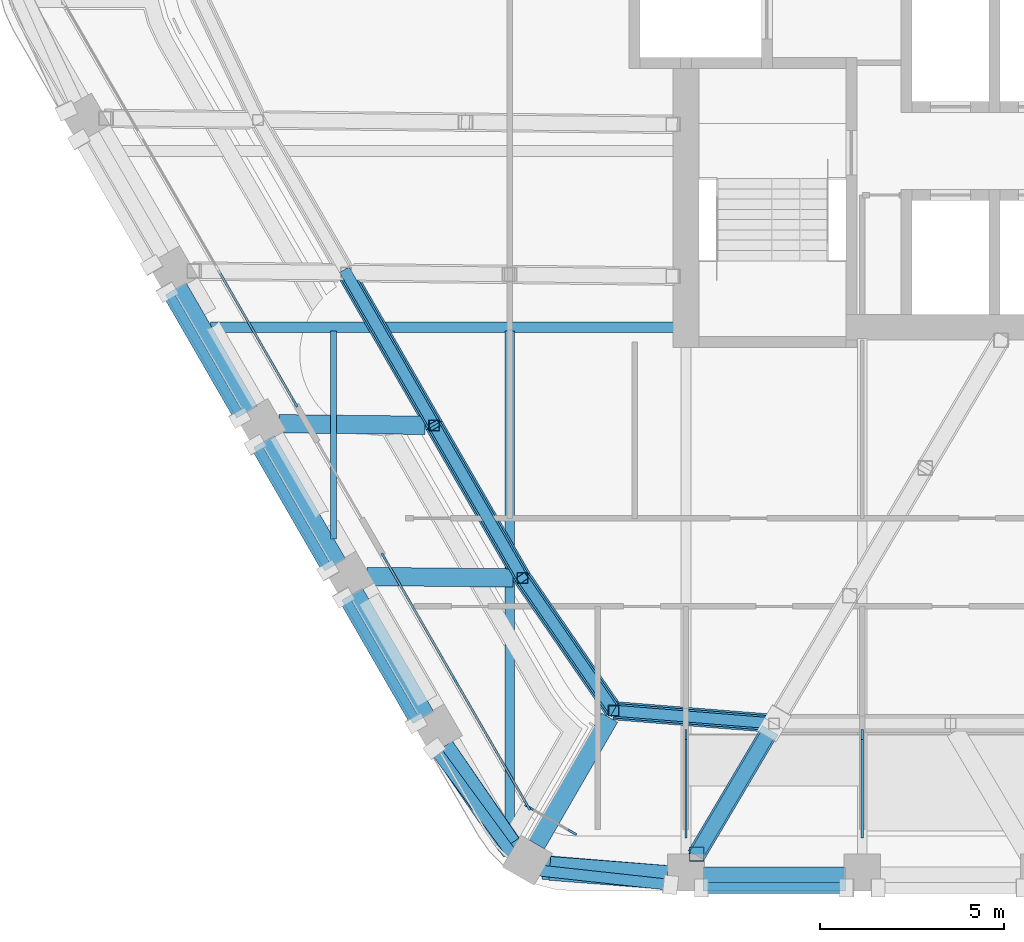
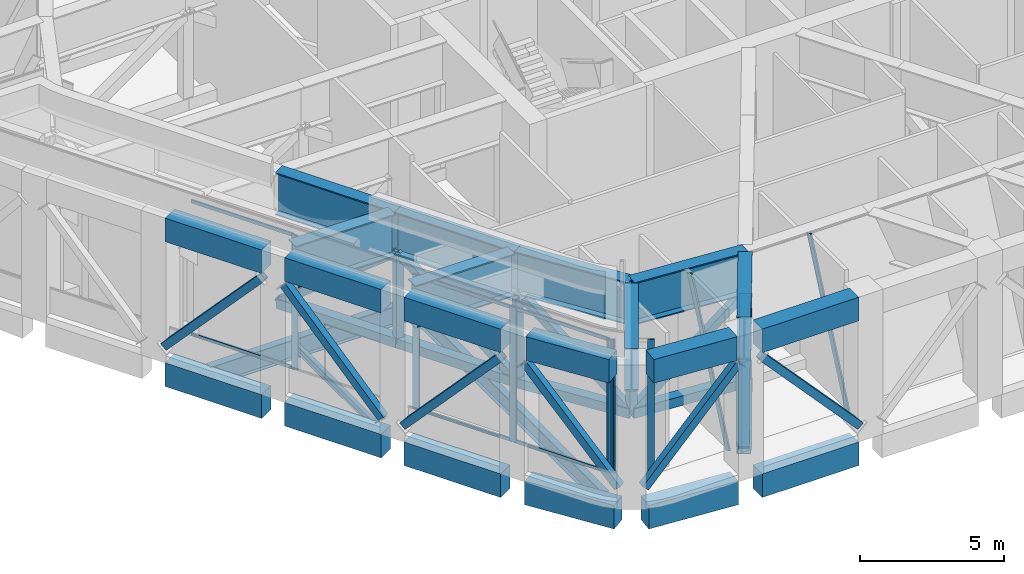
# One storey, part 2 of 24: 34 members, 23 beams, 4 elements without a shape of their own.
"""IFC4 building model written with IfcOpenShell, lengths in metres."""

import ifcopenshell
import ifcopenshell.guid

model = None  # the IFC model being written
_history = None  # IfcOwnerHistory: only IFC2X3 demands one
_inside = {}  # id of a spatial element -> (the spatial element, [elements in it])
_under = {}  # id of a project, library or spatial element -> (it, [spatial elements below it])
_declared = {}  # id of a project -> (the project, [libraries it declares])
_typed = {}  # id of a type object -> (the type object, [elements of that type])
_made_of = {}  # id of a material, layer set ... -> (it, [elements and type objects made of it])


def new_model(schema):
    """Start an empty IFC model of exactly this schema.

    Asked for "IFC4X3", IfcOpenShell would pick the latest addendum, in which some entities
    have other attributes; the version numbers below select the first issue.
    IFC2X3 requires an IfcOwnerHistory on every rooted entity: one is made here for all.
    """
    global model, _history
    if schema == "IFC4X3":
        model = ifcopenshell.file(schema_version=(4, 3, 0, 0))
    else:
        model = ifcopenshell.file(schema=schema)
    _inside.clear()
    _under.clear()
    _declared.clear()
    _typed.clear()
    _made_of.clear()
    _history = None
    if model.schema == "IFC2X3":
        org = make("IfcOrganization", Name="unknown")
        user = make(
            "IfcPersonAndOrganization",
            ThePerson=make("IfcPerson", FamilyName="unknown"),
            TheOrganization=org,
        )
        app = make(
            "IfcApplication",
            ApplicationDeveloper=org,
            Version="unknown",
            ApplicationFullName="unknown",
            ApplicationIdentifier="unknown",
        )
        _history = make(
            "IfcOwnerHistory",
            OwningUser=user,
            OwningApplication=app,
            ChangeAction="ADDED",
            CreationDate=0,
        )
    return model


def make(cls, **values):
    """One entity of the class cls with the attributes given. An attribute that is None is left unset."""
    return model.create_entity(
        cls, **{name: value for name, value in values.items() if value is not None}
    )


def rooted(cls, **values):
    """An entity with a GlobalId (a new one), such as an element, a storey or a relation."""
    return make(cls, GlobalId=ifcopenshell.guid.new(), OwnerHistory=_history, **values)


def si_unit(unit_type, name, prefix=None):
    """IfcSIUnit, for example si_unit("LENGTHUNIT", "METRE", prefix="MILLI")."""
    return make("IfcSIUnit", UnitType=unit_type, Prefix=prefix, Name=name)


def assignment(units):
    """IfcUnitAssignment: the units of a project."""
    return None if units is None else make("IfcUnitAssignment", Units=units)


def point(xyz):
    """IfcCartesianPoint."""
    return None if xyz is None else make("IfcCartesianPoint", Coordinates=xyz)


def direction(xyz):
    """IfcDirection."""
    return None if xyz is None else make("IfcDirection", DirectionRatios=xyz)


def frame(location, z_axis=None, x_axis=None):
    """IfcAxis2Placement3D, a coordinate frame: its origin and axes. An axis left out is left unset."""
    return make(
        "IfcAxis2Placement3D",
        Location=point(location),
        Axis=direction(z_axis),
        RefDirection=direction(x_axis),
    )


def frame_2d(location, x_axis=None):
    """IfcAxis2Placement2D, a coordinate frame in the plane: its origin and x axis."""
    return make(
        "IfcAxis2Placement2D", Location=point(location), RefDirection=direction(x_axis)
    )


def origin():
    """The frame at (0, 0, 0) with its axes left unset."""
    return frame((0.0, 0.0, 0.0))


def origin_2d():
    """The frame at (0, 0) in the plane with its x axis left unset."""
    return frame_2d((0.0, 0.0))


def place(relative_to, where):
    """IfcLocalPlacement: puts the frame where relative to a parent placement (None: the world)."""
    return make(
        "IfcLocalPlacement", PlacementRelTo=relative_to, RelativePlacement=where
    )


def context(
    kind, dimensions, precision=None, world=None, true_north=None, identifier=None
):
    """IfcGeometricRepresentationContext, for example the 3D "Model" context."""
    return make(
        "IfcGeometricRepresentationContext",
        ContextIdentifier=identifier,
        ContextType=kind,
        CoordinateSpaceDimension=dimensions,
        Precision=precision,
        WorldCoordinateSystem=world,
        TrueNorth=true_north,
    )


def subcontext(parent, identifier, kind, view, scale=None):
    """IfcGeometricRepresentationSubContext, for example "Body" below "Model"."""
    return make(
        "IfcGeometricRepresentationSubContext",
        ContextIdentifier=identifier,
        ContextType=kind,
        ParentContext=parent,
        TargetScale=scale,
        TargetView=view,
    )


def project(units=None, contexts=None):
    """IfcProject with its units and contexts."""
    return rooted(
        "IfcProject",
        Name="project",
        RepresentationContexts=contexts,
        UnitsInContext=assignment(units),
    )


def spatial(cls, under=None, at=None, **own):
    """A site, building, storey or space (cls), placed at a placement, below another one or the project."""
    s = rooted(cls, ObjectPlacement=at, **own)
    if under is not None:
        _under.setdefault(under.id(), (under, []))[1].append(s)
    return s


def profile(cls, at=None, kind="AREA", **sizes):
    """A parametric profile (cls). Its sizes go by their IFC names, for example OverallWidth=200.0."""
    return make(cls, ProfileType=kind, Position=at, **sizes)


def rectangle(**sizes):
    """IfcRectangleProfileDef."""
    return profile("IfcRectangleProfileDef", **sizes)


def hollow_rectangle(**sizes):
    """IfcRectangleHollowProfileDef."""
    return profile("IfcRectangleHollowProfileDef", **sizes)


def i_section(**sizes):
    """IfcIShapeProfileDef."""
    return profile("IfcIShapeProfileDef", **sizes)


def extrude(swept, where, along, depth):
    """IfcExtrudedAreaSolid: the profile swept, set in the frame where, extruded along a direction by depth."""
    return make(
        "IfcExtrudedAreaSolid",
        SweptArea=swept,
        Position=where,
        ExtrudedDirection=direction(along),
        Depth=depth,
    )


def shape(context_of_items, identifier, shape_type, items):
    """IfcShapeRepresentation: the items that make up one representation, for example the "Body"."""
    return make(
        "IfcShapeRepresentation",
        ContextOfItems=context_of_items,
        RepresentationIdentifier=identifier,
        RepresentationType=shape_type,
        Items=items,
    )


def material(Name=None, Category=None):
    """IfcMaterial."""
    return make("IfcMaterial", Name=Name, Category=Category)


def material_profile(
    of_material, cross_section, Name=None, Category=None, Priority=None
):
    """IfcMaterialProfile: a cross section and its material."""
    return make(
        "IfcMaterialProfile",
        Name=Name,
        Material=of_material,
        Profile=cross_section,
        Priority=Priority,
        Category=Category,
    )


def profile_set(profiles, Name=None, composite=None):
    """IfcMaterialProfileSet."""
    return make(
        "IfcMaterialProfileSet",
        Name=Name,
        MaterialProfiles=profiles,
        CompositeProfile=composite,
    )


def made_of(thing, what):
    """Note that an element or type object is made of a material, layer set ...; save() writes the relation."""
    if what is not None:
        _made_of.setdefault(what.id(), (what, []))[1].append(thing)
    return thing


def type_object(cls, material=None, **own):
    """A type object (cls), such as IfcWallType, which elements share."""
    return made_of(rooted(cls, **own), material)


def element(
    cls,
    number,
    at=None,
    inside=None,
    cuts=None,
    type_object=None,
    material=None,
    context=None,
    identifier="Body",
    shape_type=None,
    held_by="IfcProductDefinitionShape",
    body=None,
    shapes=None,
    **own,
):
    """One element of the class cls, such as IfcWall. Its Tag is "e" and its number.

    at: its placement. inside: the storey or other place that contains it. cuts: it is an
    opening in that element (IfcRelVoidsElement). A single representation is given by context,
    identifier, shape_type and body (its items); several are given by shapes. held_by: the class
    of the entity that holds the representations. save() writes the other relations.
    """
    e = rooted(cls, Tag="e%d" % number, ObjectPlacement=at, **own)
    if body is not None:
        shapes = [shape(context, identifier, shape_type, body)]
    if shapes is not None:
        e.Representation = make(held_by, Representations=shapes)
    if inside is not None:
        _inside.setdefault(inside.id(), (inside, []))[1].append(e)
    if cuts is not None:
        rooted(
            "IfcRelVoidsElement", RelatingBuildingElement=cuts, RelatedOpeningElement=e
        )
    if type_object is not None:
        _typed.setdefault(type_object.id(), (type_object, []))[1].append(e)
    return made_of(e, material)


def aggregate(whole, parts):
    """IfcRelAggregates: a whole, such as a stair, and the parts it consists of."""
    return rooted("IfcRelAggregates", RelatingObject=whole, RelatedObjects=parts)


def save(model, path):
    """Write the relations noted so far, then the file.

    IfcRelAggregates (storeys below a building ...), IfcRelContainedInSpatialStructure (elements
    in a storey), IfcRelDefinesByType, IfcRelAssociatesMaterial and IfcRelDeclares: one each for
    every whole, place, type object, material and project.
    """
    for whole, parts in _under.values():
        aggregate(whole, parts)
    for where, things in _inside.values():
        rooted(
            "IfcRelContainedInSpatialStructure",
            RelatedElements=things,
            RelatingStructure=where,
        )
    for kind, things in _typed.values():
        rooted("IfcRelDefinesByType", RelatedObjects=things, RelatingType=kind)
    for what, things in _made_of.values():
        rooted("IfcRelAssociatesMaterial", RelatedObjects=things, RelatingMaterial=what)
    for by, libraries in _declared.values():
        rooted("IfcRelDeclares", RelatingContext=by, RelatedDefinitions=libraries)
    model.write(path)


model = new_model("IFC4")

# Units and contexts
model_context = context("Model", 3, precision=1e-05, world=origin(), true_north=direction((0.0, 1.0)))
body_context = subcontext(model_context, "Body", "Model", "MODEL_VIEW")
ifc_project = project(units=[si_unit("LENGTHUNIT", "METRE"), si_unit("AREAUNIT", "SQUARE_METRE"), si_unit("VOLUMEUNIT", "CUBIC_METRE"), si_unit("PLANEANGLEUNIT", "RADIAN"), si_unit("MASSUNIT", "GRAM", prefix="KILO")], contexts=[model_context])

# Site, building, storey
site_placement = place(None, origin())
site = spatial("IfcSite", under=ifc_project, at=site_placement, CompositionType="ELEMENT")
building_placement = place(site_placement, origin())
building = spatial("IfcBuilding", under=site, at=building_placement, Name="Kolab Exchange Tower", CompositionType="ELEMENT")
storey_placement = place(building_placement, frame((0.0, 0.0, 216.800048828125)))
storey = spatial("IfcBuildingStorey", under=building, at=storey_placement, Name="L47", CompositionType="ELEMENT", Elevation=216.800048828125)

# Members
ifc_material_1 = material(Name="Steel S355", Category="steel")
ifc_material_profile_1 = material_profile(ifc_material_1, hollow_rectangle(XDim=0.300048828125, YDim=0.300048828125, WallThickness=0.01611328125, at=origin_2d()), Name="HSS300X300X16")
ifc_profile_set_1 = profile_set([ifc_material_profile_1], Name="Steel S355")
member_type_1 = type_object("IfcMemberType", Name="BELT TRUSS BRACE HSS300X300X16", PredefinedType="BRACE", material=ifc_profile_set_1)
member_1_placement = place(storey_placement, frame((-7.199951171875, -20.384521484375, 4.050048828125), z_axis=(-0.753086281984, 0.060024651395, -0.655177909512), x_axis=(-0.079452902216, -0.996838621006, 0.0)))
element("IfcMember", 1, at=member_1_placement, inside=storey, type_object=member_type_1, Name="mem/L47/ring/d-F4-05", PredefinedType="BRACE", context=body_context, shape_type="SweptSolid", body=[
    extrude(hollow_rectangle(XDim=0.300048828125, YDim=0.300048828125, WallThickness=0.01611328125, at=origin_2d()), origin(), (0.0, 0.0, 1.0), 5.800048828125),
])
member_2_placement = place(storey_placement, frame((-11.56787109375, -20.036376953125, 0.25), z_axis=(-0.428579877359, 0.622160593915, 0.655160655185), x_axis=(-0.823519747608, -0.56728760369, 0.0)))
element("IfcMember", 2, at=member_2_placement, inside=storey, type_object=member_type_1, Name="mem/L47/ring/d-F5-01", PredefinedType="BRACE", context=body_context, shape_type="SweptSolid", body=[
    extrude(hollow_rectangle(XDim=0.300048828125, YDim=0.300048828125, WallThickness=0.01611328125, at=origin_2d()), origin(), (0.0, 0.0, 1.0), 5.80029296875),
])
for number, where, z_axis, x_axis, name in (
    (3, (-14.0537109375, -16.427734375, 0.25), (-0.392004841722, 0.679009810783, 0.620707564741), (-0.866037363387, -0.499979284789, 0.0), "mem/L47/ring/d-F5-02"),
    (4, (-16.45361328125, -12.270751953125, 4.050048828125), (-0.392004841722, 0.679009810783, -0.620707564741), (-0.866037363387, -0.499979284789, 0.0), "mem/L47/ring/d-F5-03"),
):
    element("IfcMember", number, at=place(storey_placement, frame(where, z_axis=z_axis, x_axis=x_axis)), inside=storey, type_object=member_type_1, Name=name, PredefinedType="BRACE", context=body_context, shape_type="SweptSolid", body=[
        extrude(hollow_rectangle(XDim=0.300048828125, YDim=0.300048828125, WallThickness=0.01611328125, at=origin_2d()), origin(), (0.0, 0.0, 1.0), 6.1220703125),
    ])
member_3_placement = place(storey_placement, frame((-5.23291015625, -24.864990234375, 0.39990234375), z_axis=(-0.6750129769, 0.0, 0.737805855911), x_axis=(0.0, -1.0, 0.0)))
element("IfcMember", 5, at=member_3_placement, inside=storey, type_object=member_type_1, Name="mem/L47/fb/F4-05", PredefinedType="BRACE", context=body_context, shape_type="SweptSolid", body=[
    extrude(hollow_rectangle(XDim=0.300048828125, YDim=0.300048828125, WallThickness=0.01611328125, at=origin_2d()), origin(), (0.0, 0.0, 1.0), 5.828125),
])
for number, where, z_axis, x_axis, name in (
    (6, (-10.033447265625, -24.776611328125, 4.699951171875), (-0.635039153675, 0.069365949652, -0.769359238801), (-0.108585115076, -0.994087155527, 0.0), "mem/L47/fb/F4-06"),
    (7, (-14.330078125, -23.95751953125, 0.39990234375), (-0.377585306964, 0.515270277759, 0.769367192453), (-0.806613643798, -0.591079038402, 0.0), "mem/L47/fb/F5-01"),
):
    element("IfcMember", number, at=place(storey_placement, frame(where, z_axis=z_axis, x_axis=x_axis)), inside=storey, type_object=member_type_1, Name=name, PredefinedType="BRACE", context=body_context, shape_type="SweptSolid", body=[
        extrude(hollow_rectangle(XDim=0.300048828125, YDim=0.300048828125, WallThickness=0.01611328125, at=origin_2d()), origin(), (0.0, 0.0, 1.0), 5.589111328125),
    ])
for number, where, z_axis, x_axis, name in (
    (8, (-16.9501953125, -20.371337890625, 4.699951171875), (-0.337507590619, 0.584574708587, -0.737808265306), (-0.866023334807, -0.500003583557, 0.0), "mem/L47/fb/F5-02"),
    (9, (-19.350341796875, -16.214599609375, 0.39990234375), (-0.337507590619, 0.584574708587, 0.737808265306), (-0.866023334807, -0.500003583557, 0.0), "mem/L47/fb/F5-03"),
    (10, (-21.750244140625, -12.0576171875, 4.699951171875), (-0.337507590619, 0.584574708587, -0.737808265306), (-0.866023334807, -0.500003583557, 0.0), "mem/L47/fb/F5-04"),
):
    element("IfcMember", number, at=place(storey_placement, frame(where, z_axis=z_axis, x_axis=x_axis)), inside=storey, type_object=member_type_1, Name=name, PredefinedType="BRACE", context=body_context, shape_type="SweptSolid", body=[
        extrude(hollow_rectangle(XDim=0.300048828125, YDim=0.300048828125, WallThickness=0.01611328125, at=origin_2d()), origin(), (0.0, 0.0, 1.0), 5.828125),
    ])
ifc_material_profile_2 = material_profile(ifc_material_1, hollow_rectangle(XDim=0.39990234375, YDim=0.39990234375, WallThickness=0.02001953125, at=origin_2d()), Name="HSS400X400X20")
ifc_profile_set_2 = profile_set([ifc_material_profile_2], Name="Steel S355")
member_type_2 = type_object("IfcMemberType", Name="BELT TRUSS CHORD HSS400X400X20", PredefinedType="CHORD", material=ifc_profile_set_2)
member_4_placement = place(storey_placement, frame((-7.199951171875, -20.384521484375, 0.25), z_axis=(-0.996838621006, 0.079452902216, 0.0), x_axis=(-0.079452902216, -0.996838621006, 0.0)))
element("IfcMember", 11, at=member_4_placement, inside=storey, type_object=member_type_2, Name="mem/L47/ring/c-F4-05", PredefinedType="CHORD", context=body_context, shape_type="SweptSolid", body=[
    extrude(hollow_rectangle(XDim=0.39990234375, YDim=0.39990234375, WallThickness=0.02001953125, at=origin_2d()), origin(), (0.0, 0.0, 1.0), 4.3818359375),
])
member_5_placement = place(storey_placement, frame((-11.56787109375, -20.036376953125, 0.25), z_axis=(-0.56728760369, 0.823519747608, 0.0), x_axis=(-0.823519747608, -0.56728760369, 0.0)))
element("IfcMember", 12, at=member_5_placement, inside=storey, type_object=member_type_2, Name="mem/L47/ring/c-F5-01", PredefinedType="CHORD", context=body_context, shape_type="SweptSolid", body=[
    extrude(hollow_rectangle(XDim=0.39990234375, YDim=0.39990234375, WallThickness=0.02001953125, at=origin_2d()), origin(), (0.0, 0.0, 1.0), 4.382080078125),
])
for number, where, z_axis, x_axis, name in (
    (13, (-14.0537109375, -16.427734375, 0.25), (-0.499979284789, 0.866037363387, 0.0), (-0.866037363387, -0.499979284789, 0.0), "mem/L47/ring/c-F5-02"),
    (14, (-16.45361328125, -12.270751953125, 0.25), (-0.499979284789, 0.866037363387, 0.0), (-0.866037363387, -0.499979284789, 0.0), "mem/L47/ring/c-F5-03"),
):
    element("IfcMember", number, at=place(storey_placement, frame(where, z_axis=z_axis, x_axis=x_axis)), inside=storey, type_object=member_type_2, Name=name, PredefinedType="CHORD", context=body_context, shape_type="SweptSolid", body=[
        extrude(hollow_rectangle(XDim=0.39990234375, YDim=0.39990234375, WallThickness=0.02001953125, at=origin_2d()), origin(), (0.0, 0.0, 1.0), 4.800048828125),
    ])

# Beams
ifc_material_profile_3 = material_profile(ifc_material_1, i_section(OverallWidth=0.5, OverallDepth=1.800048828125, WebThickness=0.031982421875, FlangeThickness=0.050048828125, at=origin_2d()), Name="PG1800X500")
ifc_profile_set_3 = profile_set([ifc_material_profile_3], Name="Steel S355")
beam_type_1 = type_object("IfcBeamType", Name="BELT TRUSS GIRDER PG1800X500", PredefinedType="BEAM", material=ifc_profile_set_3)
beam_1_placement = place(storey_placement, frame((-7.199951171875, -20.384521484375, 4.949951171875), z_axis=(-0.996838621006, 0.079452902216, 0.0), x_axis=(-0.079452902216, -0.996838621006, 0.0)))
element("IfcBeam", 15, at=beam_1_placement, inside=storey, type_object=beam_type_1, Name="beam/L47/bg/F4-out", PredefinedType="BEAM", context=body_context, shape_type="SweptSolid", body=[
    extrude(i_section(OverallWidth=0.5, OverallDepth=1.800048828125, WebThickness=0.031982421875, FlangeThickness=0.050048828125, at=origin_2d()), origin(), (0.0, 0.0, 1.0), 4.3818359375),
])
beam_2_placement = place(storey_placement, frame((-11.56787109375, -20.036376953125, 4.949951171875), z_axis=(-0.56728760369, 0.823519747608, 0.0), x_axis=(-0.823519747608, -0.56728760369, 0.0)))
element("IfcBeam", 16, at=beam_2_placement, inside=storey, type_object=beam_type_1, Name="beam/L47/bg/F5-in", PredefinedType="BEAM", context=body_context, shape_type="SweptSolid", body=[
    extrude(i_section(OverallWidth=0.5, OverallDepth=1.800048828125, WebThickness=0.031982421875, FlangeThickness=0.050048828125, at=origin_2d()), origin(), (0.0, 0.0, 1.0), 4.382080078125),
])
for number, where, z_axis, x_axis, name in (
    (17, (-14.0537109375, -16.427734375, 4.949951171875), (-0.499979284789, 0.866037363387, 0.0), (-0.866037363387, -0.499979284789, 0.0), "beam/L47/bg/F5-run0"),
    (18, (-16.45361328125, -12.270751953125, 4.949951171875), (-0.499979284789, 0.866037363387, 0.0), (-0.866037363387, -0.499979284789, 0.0), "beam/L47/bg/F5-run1"),
):
    element("IfcBeam", number, at=place(storey_placement, frame(where, z_axis=z_axis, x_axis=x_axis)), inside=storey, type_object=beam_type_1, Name=name, PredefinedType="BEAM", context=body_context, shape_type="SweptSolid", body=[
        extrude(i_section(OverallWidth=0.5, OverallDepth=1.800048828125, WebThickness=0.031982421875, FlangeThickness=0.050048828125, at=origin_2d()), origin(), (0.0, 0.0, 1.0), 4.800048828125),
    ])

# Members
ifc_material_profile_4 = material_profile(ifc_material_1, hollow_rectangle(XDim=0.300048828125, YDim=0.300048828125, WallThickness=0.01611328125, at=origin_2d()), Name="HSS300X300X16")
ifc_profile_set_4 = profile_set([ifc_material_profile_4], Name="Steel S355")
member_type_3 = type_object("IfcMemberType", Name="BELT TRUSS POST HSS300X300X16", PredefinedType="POST", material=ifc_profile_set_4)
for number, where, z_axis, x_axis, name in (
    (19, (-11.56787109375, -20.036376953125, 0.25), (0.0, 0.0, 1.0), (1.0, 0.0, 0.0), "mem/L47/ring/p-F5-01"),
    (20, (-14.0537109375, -16.427734375, 0.25), (0.0, 0.0, 1.0), (1.0, 0.0, 0.0), "mem/L47/ring/p-F5-02"),
    (21, (-16.45361328125, -12.270751953125, 0.25), (0.0, 0.0, 1.0), (1.0, 0.0, 0.0), "mem/L47/ring/p-F5-03"),
):
    element("IfcMember", number, at=place(storey_placement, frame(where, z_axis=z_axis, x_axis=x_axis)), inside=storey, type_object=member_type_3, Name=name, PredefinedType="POST", context=body_context, shape_type="SweptSolid", body=[
        extrude(hollow_rectangle(XDim=0.300048828125, YDim=0.300048828125, WallThickness=0.01611328125, at=origin_2d()), origin(), (0.0, 0.0, 1.0), 3.800048828125),
    ])

# Curtain wall, members
ifc_material_2 = material(Name="Aluminium EN AW-6063 T6", Category="aluminium")
curtain_wall_type_1 = type_object("IfcCurtainWallType", Name="CANTED BAND CURTAIN WALL", PredefinedType="NOTDEFINED", material=ifc_material_2)
curtain_wall_1_placement = place(storey_placement, origin())
curtain_wall_1 = element("IfcCurtainWall", 22, at=curtain_wall_1_placement, inside=storey, type_object=curtain_wall_type_1, Name="band/L47/F4", PredefinedType="NOTDEFINED")
ifc_material_profile_5 = material_profile(ifc_material_2, rectangle(XDim=0.06005859375, YDim=0.300048828125, at=origin_2d()), Name="RECT 60X300")
ifc_profile_set_5 = profile_set([ifc_material_profile_5], Name="Aluminium EN AW-6063 T6")
member_type_4 = type_object("IfcMemberType", Name="CANTED BAND MULLION 60 X 300", PredefinedType="MULLION", material=ifc_profile_set_5)
member_6_placement = place(storey_placement, frame((-4.800048828125, -23.361572265625, -0.10009765625), z_axis=(0.0, 0.410878778787, 0.911689985216), x_axis=(-1.0, 0.0, 0.0)))
member_6 = element("IfcMember", 23, at=member_6_placement, type_object=member_type_4, Name="Band mullion", PredefinedType="MULLION", context=body_context, shape_type="SweptSolid", body=[
    extrude(rectangle(XDim=0.06005859375, YDim=0.300048828125, at=origin_2d()), origin(), (0.0, 0.0, 1.0), 6.515380859375),
])
member_7_placement = place(storey_placement, frame((-9.60009765625, -23.361572265625, -0.10009765625), z_axis=(0.0, 0.410878778787, 0.911689985216), x_axis=(-1.0, 0.0, 0.0)))
member_7 = element("IfcMember", 24, at=member_7_placement, type_object=member_type_4, Name="Band mullion", PredefinedType="MULLION", context=body_context, shape_type="SweptSolid", body=[
    extrude(rectangle(XDim=0.06005859375, YDim=0.300048828125, at=origin_2d()), origin(), (0.0, 0.0, 1.0), 6.515380859375),
])
aggregate(curtain_wall_1, [member_6, member_7])

# Beams
ifc_material_profile_6 = material_profile(ifc_material_1, i_section(OverallWidth=0.1650390625, OverallDepth=0.31005859375, WebThickness=0.005859375, FlangeThickness=0.009765625, at=origin_2d()), Name="W310X39")
ifc_profile_set_6 = profile_set([ifc_material_profile_6], Name="Steel S355")
beam_type_2 = type_object("IfcBeamType", Name="FLOOR BEAM W310X39", PredefinedType="BEAM", material=ifc_profile_set_6)
beam_3_placement = place(storey_placement, frame((-19.199951171875, -15.36767578125, -0.455078125), z_axis=(0.0, 1.0, 0.0), x_axis=(-1.0, 0.0, 0.0)))
element("IfcBeam", 25, at=beam_3_placement, inside=storey, type_object=beam_type_2, Name="beam/L47/fr/003", PredefinedType="BEAM", context=body_context, shape_type="SweptSolid", body=[
    extrude(i_section(OverallWidth=0.1650390625, OverallDepth=0.31005859375, WebThickness=0.005859375, FlangeThickness=0.009765625, at=origin_2d()), origin(), (0.0, 0.0, 1.0), 5.66162109375),
])
ifc_material_profile_7 = material_profile(ifc_material_1, i_section(OverallWidth=0.25390625, OverallDepth=0.68408203125, WebThickness=0.012451171875, FlangeThickness=0.018798828125, at=origin_2d()), Name="W690X140")
ifc_profile_set_7 = profile_set([ifc_material_profile_7], Name="Steel S355")
beam_type_3 = type_object("IfcBeamType", Name="FLOOR BEAM W690X140", PredefinedType="BEAM", material=ifc_profile_set_7)
beam_4_placement = place(storey_placement, frame((-14.39990234375, -23.15576171875, -0.64208984375), z_axis=(0.0, 1.0, 0.0), x_axis=(-1.0, 0.0, 0.0)))
element("IfcBeam", 26, at=beam_4_placement, inside=storey, type_object=beam_type_3, Name="beam/L47/fr/005", PredefinedType="BEAM", context=body_context, shape_type="SweptSolid", body=[
    extrude(i_section(OverallWidth=0.25390625, OverallDepth=0.68408203125, WebThickness=0.012451171875, FlangeThickness=0.018798828125, at=origin_2d()), origin(), (0.0, 0.0, 1.0), 13.44970703125),
])
ifc_material_profile_8 = material_profile(ifc_material_1, i_section(OverallWidth=0.2919921875, OverallDepth=0.840087890625, WebThickness=0.0146484375, FlangeThickness=0.021728515625, at=origin_2d()), Name="W840X193")
ifc_profile_set_8 = profile_set([ifc_material_profile_8], Name="Steel S355")
beam_type_4 = type_object("IfcBeamType", Name="FLOOR GIRDER W840X193", PredefinedType="BEAM", material=ifc_profile_set_8)
beam_5_placement = place(storey_placement, frame((-22.546875, -9.60009765625, -0.719970703125), z_axis=(1.0, 0.0, 0.0), x_axis=(0.0, 1.0, 0.0)))
element("IfcBeam", 27, at=beam_5_placement, inside=storey, type_object=beam_type_4, Name="beam/L47/gd/000", PredefinedType="BEAM", context=body_context, shape_type="SweptSolid", body=[
    extrude(i_section(OverallWidth=0.2919921875, OverallDepth=0.840087890625, WebThickness=0.0146484375, FlangeThickness=0.021728515625, at=origin_2d()), origin(), (0.0, 0.0, 1.0), 12.636962890625),
])

# Members
ifc_material_profile_9 = material_profile(ifc_material_1, hollow_rectangle(XDim=0.39990234375, YDim=0.39990234375, WallThickness=0.02001953125, at=origin_2d()), Name="HSS400X400X20")
ifc_profile_set_9 = profile_set([ifc_material_profile_9], Name="Steel S355")
member_type_5 = type_object("IfcMemberType", Name="OUTRIGGER BRACE HSS400X400X20", PredefinedType="BRACE", material=ifc_profile_set_9)
member_8_placement = place(storey_placement, frame((-7.306884765625, -20.5654296875, 4.050048828125), z_axis=(-0.365714956135, -0.618152599125, -0.695801649218), x_axis=(0.860656286669, -0.509186366881, 0.0)))
element("IfcMember", 28, at=member_8_placement, inside=storey, type_object=member_type_5, Name="mem/L47/out/07/d03", PredefinedType="BRACE", context=body_context, shape_type="SweptSolid", body=[
    extrude(hollow_rectangle(XDim=0.39990234375, YDim=0.39990234375, WallThickness=0.02001953125, at=origin_2d()), origin(), (0.0, 0.0, 1.0), 5.46142578125),
])
ifc_material_profile_10 = material_profile(ifc_material_1, hollow_rectangle(XDim=0.5, YDim=0.5, WallThickness=0.02490234375, at=origin_2d()), Name="HSS500X500X25")
ifc_profile_set_10 = profile_set([ifc_material_profile_10], Name="Steel S355")
member_type_6 = type_object("IfcMemberType", Name="OUTRIGGER CHORD HSS500X500X25", PredefinedType="CHORD", material=ifc_profile_set_10)
member_9_placement = place(storey_placement, frame((-7.306884765625, -20.5654296875, 0.25), z_axis=(-0.509186366881, -0.860656286669, 0.0), x_axis=(0.860656286669, -0.509186366881, 0.0)))
element("IfcMember", 29, at=member_9_placement, inside=storey, type_object=member_type_6, Name="mem/L47/out/07/c03", PredefinedType="CHORD", context=body_context, shape_type="SweptSolid", body=[
    extrude(hollow_rectangle(XDim=0.5, YDim=0.5, WallThickness=0.02490234375, at=origin_2d()), origin(), (0.0, 0.0, 1.0), 3.922607421875),
])

# Beam
ifc_material_profile_11 = material_profile(ifc_material_1, i_section(OverallWidth=0.5, OverallDepth=1.800048828125, WebThickness=0.031982421875, FlangeThickness=0.050048828125, at=origin_2d()), Name="PG1800X500")
ifc_profile_set_11 = profile_set([ifc_material_profile_11], Name="Steel S355")
beam_type_5 = type_object("IfcBeamType", Name="OUTRIGGER GIRDER PG1800X500", PredefinedType="BEAM", material=ifc_profile_set_11)
beam_6_placement = place(storey_placement, frame((-7.306884765625, -20.5654296875, 4.949951171875), z_axis=(-0.509185871859, -0.860656579536, 0.0), x_axis=(0.860656579536, -0.509185871859, 0.0)))
element("IfcBeam", 30, at=beam_6_placement, inside=storey, type_object=beam_type_5, Name="beam/L47/og/07-03", PredefinedType="BEAM", context=body_context, shape_type="SweptSolid", body=[
    extrude(i_section(OverallWidth=0.5, OverallDepth=1.800048828125, WebThickness=0.031982421875, FlangeThickness=0.050048828125, at=origin_2d()), origin(), (0.0, 0.0, 1.0), 3.962890625),
])

# Member
ifc_material_profile_12 = material_profile(ifc_material_1, hollow_rectangle(XDim=0.39990234375, YDim=0.39990234375, WallThickness=0.02001953125, at=origin_2d()), Name="HSS400X400X20")
ifc_profile_set_12 = profile_set([ifc_material_profile_12], Name="Steel S355")
member_type_7 = type_object("IfcMemberType", Name="OUTRIGGER POST HSS400X400X20", PredefinedType="POST", material=ifc_profile_set_12)
member_10_placement = place(storey_placement, frame((-9.30419921875, -23.94140625, 0.25), z_axis=(0.0, 0.0, 1.0), x_axis=(1.0, 0.0, 0.0)))
element("IfcMember", 31, at=member_10_placement, inside=storey, type_object=member_type_7, Name="mem/L47/out/07/p04", PredefinedType="POST", context=body_context, shape_type="SweptSolid", body=[
    extrude(hollow_rectangle(XDim=0.39990234375, YDim=0.39990234375, WallThickness=0.02001953125, at=origin_2d()), origin(), (0.0, 0.0, 1.0), 3.800048828125),
])

# Beams
ifc_material_3 = material(Name="Concrete C60/75", Category="concrete")
ifc_material_profile_13 = material_profile(ifc_material_3, rectangle(XDim=0.64990234375, YDim=1.0, at=origin_2d()), Name="RC650X1000")
ifc_profile_set_13 = profile_set([ifc_material_profile_13], Name="Concrete C60/75")
beam_type_6 = type_object("IfcBeamType", Name="SPANDREL BEAM 650X1000 C60/75", PredefinedType="BEAM", material=ifc_profile_set_13)
beam_7_placement = place(storey_placement, frame((-5.260009765625, -24.616455078125, -0.800048828125), z_axis=(-1.0, 0.0, 0.0), x_axis=(0.0, -1.0, 0.0)))
element("IfcBeam", 32, at=beam_7_placement, inside=storey, type_object=beam_type_6, Name="beam/L47/sp/F4-05", PredefinedType="BEAM", context=body_context, shape_type="SweptSolid", body=[
    extrude(rectangle(XDim=0.64990234375, YDim=1.0, at=origin_2d()), origin(), (0.0, 0.0, 1.0), 3.8798828125),
])
for number, where, z_axis, x_axis, name in (
    (33, (-10.06005859375, -24.5791015625, -0.800048828125), (-0.996708497182, 0.081068931445, 0.0), (-0.081068931445, -0.996708497182, 0.0), "beam/L47/sp/F4-06"),
    (34, (-14.29736328125, -23.8359375, -0.800048828125), (-0.568572281073, 0.822633309073, 0.0), (-0.822633309073, -0.568572281073, 0.0), "beam/L47/sp/F5-01"),
):
    element("IfcBeam", number, at=place(storey_placement, frame(where, z_axis=z_axis, x_axis=x_axis)), inside=storey, type_object=beam_type_6, Name=name, PredefinedType="BEAM", context=body_context, shape_type="SweptSolid", body=[
        extrude(rectangle(XDim=0.64990234375, YDim=1.0, at=origin_2d()), origin(), (0.0, 0.0, 1.0), 3.445068359375),
    ])
beam_8_placement = place(storey_placement, frame((-16.74853515625, -20.2236328125, -0.800048828125), z_axis=(-0.499996613652, 0.866027358884, 0.0), x_axis=(-0.866027358884, -0.499996613652, 0.0)))
element("IfcBeam", 35, at=beam_8_placement, inside=storey, type_object=beam_type_6, Name="beam/L47/sp/F5-02", PredefinedType="BEAM", context=body_context, shape_type="SweptSolid", body=[
    extrude(rectangle(XDim=0.64990234375, YDim=1.0, at=origin_2d()), origin(), (0.0, 0.0, 1.0), 3.8798828125),
])
beam_9_placement = place(storey_placement, frame((-19.1484375, -16.06689453125, -0.800048828125), z_axis=(-0.50001655835, 0.866015843605, 0.0), x_axis=(-0.866015843605, -0.50001655835, 0.0)))
element("IfcBeam", 36, at=beam_9_placement, inside=storey, type_object=beam_type_6, Name="beam/L47/sp/F5-03", PredefinedType="BEAM", context=body_context, shape_type="SweptSolid", body=[
    extrude(rectangle(XDim=0.64990234375, YDim=1.0, at=origin_2d()), origin(), (0.0, 0.0, 1.0), 3.880126953125),
])
for number, where, z_axis, x_axis, name in (
    (37, (-21.548583984375, -11.909912109375, -0.800048828125), (-0.499996613652, 0.866027358884, 0.0), (-0.866027358884, -0.499996613652, 0.0), "beam/L47/sp/F5-04"),
    (38, (-5.260009765625, -24.616455078125, 5.349853515625), (-1.0, 0.0, 0.0), (0.0, -1.0, 0.0), "beam/L47/cp/F4-05"),
):
    element("IfcBeam", number, at=place(storey_placement, frame(where, z_axis=z_axis, x_axis=x_axis)), inside=storey, type_object=beam_type_6, Name=name, PredefinedType="BEAM", context=body_context, shape_type="SweptSolid", body=[
        extrude(rectangle(XDim=0.64990234375, YDim=1.0, at=origin_2d()), origin(), (0.0, 0.0, 1.0), 3.8798828125),
    ])
beam_10_placement = place(storey_placement, frame((-10.109130859375, -24.57763671875, 5.349853515625), z_axis=(-0.99700411578, 0.077348517229, 0.0), x_axis=(-0.077348517229, -0.99700411578, 0.0)))
element("IfcBeam", 39, at=beam_10_placement, inside=storey, type_object=beam_type_6, Name="beam/L47/cp/F4-06", PredefinedType="BEAM", context=body_context, shape_type="SweptSolid", body=[
    extrude(rectangle(XDim=0.64990234375, YDim=1.0, at=origin_2d()), origin(), (0.0, 0.0, 1.0), 3.206787109375),
])
beam_11_placement = place(storey_placement, frame((-14.416748046875, -23.688720703125, 5.349853515625), z_axis=(-0.565475094709, 0.824765371038, 0.0), x_axis=(-0.824765371038, -0.565475094709, 0.0)))
element("IfcBeam", 40, at=beam_11_placement, inside=storey, type_object=beam_type_6, Name="beam/L47/cp/F5-01", PredefinedType="BEAM", context=body_context, shape_type="SweptSolid", body=[
    extrude(rectangle(XDim=0.64990234375, YDim=1.0, at=origin_2d()), origin(), (0.0, 0.0, 1.0), 3.20703125),
])
beam_12_placement = place(storey_placement, frame((-16.74853515625, -20.2236328125, 5.349853515625), z_axis=(-0.499996613652, 0.866027358884, 0.0), x_axis=(-0.866027358884, -0.499996613652, 0.0)))
element("IfcBeam", 41, at=beam_12_placement, inside=storey, type_object=beam_type_6, Name="beam/L47/cp/F5-02", PredefinedType="BEAM", context=body_context, shape_type="SweptSolid", body=[
    extrude(rectangle(XDim=0.64990234375, YDim=1.0, at=origin_2d()), origin(), (0.0, 0.0, 1.0), 3.8798828125),
])
beam_13_placement = place(storey_placement, frame((-19.1484375, -16.06689453125, 5.349853515625), z_axis=(-0.499969367985, 0.866043088465, 0.0), x_axis=(-0.866043088465, -0.499969367985, 0.0)))
element("IfcBeam", 42, at=beam_13_placement, inside=storey, type_object=beam_type_6, Name="beam/L47/cp/F5-03", PredefinedType="BEAM", context=body_context, shape_type="SweptSolid", body=[
    extrude(rectangle(XDim=0.64990234375, YDim=1.0, at=origin_2d()), origin(), (0.0, 0.0, 1.0), 3.880126953125),
])
beam_14_placement = place(storey_placement, frame((-21.548583984375, -11.909912109375, 5.349853515625), z_axis=(-0.499996613652, 0.866027358884, 0.0), x_axis=(-0.866027358884, -0.499996613652, 0.0)))
element("IfcBeam", 43, at=beam_14_placement, inside=storey, type_object=beam_type_6, Name="beam/L47/cp/F5-04", PredefinedType="BEAM", context=body_context, shape_type="SweptSolid", body=[
    extrude(rectangle(XDim=0.64990234375, YDim=1.0, at=origin_2d()), origin(), (0.0, 0.0, 1.0), 3.8798828125),
])
ifc_material_profile_14 = material_profile(ifc_material_1, i_section(OverallWidth=0.5, OverallDepth=1.800048828125, WebThickness=0.031982421875, FlangeThickness=0.050048828125, at=origin_2d()), Name="PG1800X500")
ifc_profile_set_14 = profile_set([ifc_material_profile_14], Name="Steel S355")
beam_type_7 = type_object("IfcBeamType", Name="TRANSFER GIRDER PG1800X500", PredefinedType="BEAM", material=ifc_profile_set_14)
beam_15_placement = place(storey_placement, frame((-11.677978515625, -20.226806640625, 4.949951171875), z_axis=(-0.499998569178, -0.866026229868, 0.0), x_axis=(0.866026229868, -0.499998569178, 0.0)))
element("IfcBeam", 44, at=beam_15_placement, inside=storey, type_object=beam_type_7, Name="beam/L47/tg/F5-01", PredefinedType="BEAM", context=body_context, shape_type="SweptSolid", body=[
    extrude(i_section(OverallWidth=0.5, OverallDepth=1.800048828125, WebThickness=0.031982421875, FlangeThickness=0.050048828125, at=origin_2d()), origin(), (0.0, 0.0, 1.0), 3.97998046875),
])
for number, where, z_axis, x_axis, name in (
    (45, (-14.3037109375, -16.425048828125, 4.949951171875), (-0.999943791991, 0.010602493014, 0.0), (-0.010602493014, -0.999943791991, 0.0), "beam/L47/tg/F5-02"),
    (46, (-16.70361328125, -12.26806640625, 4.949951171875), (-0.999943791991, 0.010602493014, 0.0), (-0.010602493014, -0.999943791991, 0.0), "beam/L47/tg/F5-03"),
):
    element("IfcBeam", number, at=place(storey_placement, frame(where, z_axis=z_axis, x_axis=x_axis)), inside=storey, type_object=beam_type_7, Name=name, PredefinedType="BEAM", context=body_context, shape_type="SweptSolid", body=[
        extrude(i_section(OverallWidth=0.5, OverallDepth=1.800048828125, WebThickness=0.031982421875, FlangeThickness=0.050048828125, at=origin_2d()), origin(), (0.0, 0.0, 1.0), 3.983642578125),
    ])

# Curtain wall, members
curtain_wall_type_2 = type_object("IfcCurtainWallType", Name="UNITISED UPPER MID ZONE DOUBLE HEIGHT BELT CURTAIN WALL", PredefinedType="NOTDEFINED", material=ifc_material_2)
curtain_wall_2_placement = place(storey_placement, origin())
curtain_wall_2 = element("IfcCurtainWall", 47, at=curtain_wall_2_placement, inside=storey, type_object=curtain_wall_type_2, Name="cw/L47/F5-1", PredefinedType="NOTDEFINED")
ifc_material_profile_15 = material_profile(ifc_material_2, rectangle(XDim=0.06005859375, YDim=0.260009765625, at=origin_2d()), Name="RECT 60X260")
ifc_profile_set_15 = profile_set([ifc_material_profile_15], Name="Aluminium EN AW-6063 T6")
member_type_8 = type_object("IfcMemberType", Name="UNITISED UPPER MID ZONE DOUBLE HEIGHT BELT MULLION 60 X 260", PredefinedType="MULLION", material=ifc_profile_set_15)
member_11_placement = place(storey_placement, frame((-13.91259765625, -22.62548828125, 0.0), z_axis=(0.0, 0.0, 1.0), x_axis=(-0.866025385493, -0.500000031681, 0.0)))
member_11 = element("IfcMember", 48, at=member_11_placement, type_object=member_type_8, Name="CW11 mullion 1", PredefinedType="MULLION", context=body_context, shape_type="SweptSolid", body=[
    extrude(rectangle(XDim=0.06005859375, YDim=0.260009765625, at=origin_2d()), origin(), (0.0, 0.0, 1.0), 5.699951171875),
])
member_12_placement = place(storey_placement, frame((-15.86474609375, -19.24462890625, 0.0), z_axis=(0.0, 0.0, 1.0), x_axis=(-0.866025385493, -0.500000031681, 0.0)))
member_12 = element("IfcMember", 49, at=member_12_placement, type_object=member_type_8, Name="CW11 mullion 2", PredefinedType="MULLION", context=body_context, shape_type="SweptSolid", body=[
    extrude(rectangle(XDim=0.06005859375, YDim=0.260009765625, at=origin_2d()), origin(), (0.0, 0.0, 1.0), 5.699951171875),
])
member_13_placement = place(storey_placement, frame((-17.816650390625, -15.86376953125, 0.0), z_axis=(0.0, 0.0, 1.0), x_axis=(-0.866025385493, -0.500000031681, 0.0)))
member_13 = element("IfcMember", 50, at=member_13_placement, type_object=member_type_8, Name="CW11 mullion 3", PredefinedType="MULLION", context=body_context, shape_type="SweptSolid", body=[
    extrude(rectangle(XDim=0.06005859375, YDim=0.260009765625, at=origin_2d()), origin(), (0.0, 0.0, 1.0), 5.699951171875),
])

# Curtain wall, member
curtain_wall_3_placement = place(storey_placement, origin())
curtain_wall_3 = element("IfcCurtainWall", 51, at=curtain_wall_3_placement, inside=storey, type_object=curtain_wall_type_2, Name="cw/L47/F5-2", PredefinedType="NOTDEFINED")
member_14_placement = place(storey_placement, frame((-20.24658203125, -11.65478515625, 0.0), z_axis=(0.0, 0.0, 1.0), x_axis=(-0.866025427826, -0.499999958358, 0.0)))
member_14 = element("IfcMember", 52, at=member_14_placement, type_object=member_type_8, Name="CW11 mullion 1", PredefinedType="MULLION", context=body_context, shape_type="SweptSolid", body=[
    extrude(rectangle(XDim=0.06005859375, YDim=0.260009765625, at=origin_2d()), origin(), (0.0, 0.0, 1.0), 5.699951171875),
])

# Curtain wall, members
curtain_wall_4_placement = place(storey_placement, origin())
curtain_wall_4 = element("IfcCurtainWall", 53, at=curtain_wall_4_placement, inside=storey, type_object=curtain_wall_type_2, Name="cw/L47/F4F5-corner", PredefinedType="NOTDEFINED")
member_15_placement = place(storey_placement, frame((-12.69384765625, -23.346435546875, 0.0), z_axis=(0.0, 0.0, 1.0), x_axis=(-0.50000002237, -0.866025390869, 0.0)))
member_15 = element("IfcMember", 54, at=member_15_placement, type_object=member_type_8, Name="CW11 mullion 1", PredefinedType="MULLION", context=body_context, shape_type="SweptSolid", body=[
    extrude(rectangle(XDim=0.06005859375, YDim=0.260009765625, at=origin_2d()), origin(), (0.0, 0.0, 1.0), 5.699951171875),
])
member_16_placement = place(storey_placement, frame((-13.871826171875, -22.66650390625, 0.0), z_axis=(0.0, 0.0, 1.0), x_axis=(-0.50000002237, -0.866025390869, 0.0)))
member_16 = element("IfcMember", 55, at=member_16_placement, type_object=member_type_8, Name="CW11 mullion 2", PredefinedType="MULLION", context=body_context, shape_type="SweptSolid", body=[
    extrude(rectangle(XDim=0.06005859375, YDim=0.260009765625, at=origin_2d()), origin(), (0.0, 0.0, 1.0), 5.699951171875),
])
aggregate(curtain_wall_4, [member_15, member_16])

# Member
ifc_material_profile_16 = material_profile(ifc_material_2, rectangle(XDim=0.06005859375, YDim=0.139892578125, at=origin_2d()), Name="RECT 60X140")
ifc_profile_set_16 = profile_set([ifc_material_profile_16], Name="Aluminium EN AW-6063 T6")
member_type_9 = type_object("IfcMemberType", Name="UNITISED UPPER MID ZONE DOUBLE HEIGHT BELT TRANSOM 60 X 140", PredefinedType="USERDEFINED", material=ifc_profile_set_16)
member_17_placement = place(storey_placement, frame((-13.927734375, -22.599609375, 0.030029296875), z_axis=(-0.499964356602, 0.866045981532, 0.0), x_axis=(-0.866045981532, -0.499964356602, 0.0)))
member_17 = element("IfcMember", 56, at=member_17_placement, type_object=member_type_9, Name="CW11 transom 1.1", ObjectType="TRANSOM", PredefinedType="USERDEFINED", context=body_context, shape_type="SweptSolid", body=[
    extrude(rectangle(XDim=0.06005859375, YDim=0.139892578125, at=origin_2d()), origin(), (0.0, 0.0, 1.0), 3.843994140625),
])

member_18_placement = place(storey_placement, frame((-13.927734375, -22.599609375, 5.669921875), z_axis=(-0.499964356602, 0.866045981532, 0.0), x_axis=(-0.866045981532, -0.499964356602, 0.0)))
member_18 = element("IfcMember", 57, at=member_18_placement, type_object=member_type_9, Name="CW11 transom 1.2", ObjectType="TRANSOM", PredefinedType="USERDEFINED", context=body_context, shape_type="SweptSolid", body=[
    extrude(rectangle(XDim=0.06005859375, YDim=0.139892578125, at=origin_2d()), origin(), (0.0, 0.0, 1.0), 3.843994140625),
])

member_19_placement = place(storey_placement, frame((-15.879638671875, -19.21875, 0.030029296875), z_axis=(-0.500011990396, 0.866018481016, 0.0), x_axis=(-0.866018481016, -0.500011990396, 0.0)))
member_19 = element("IfcMember", 58, at=member_19_placement, type_object=member_type_9, Name="CW11 transom 2.1", ObjectType="TRANSOM", PredefinedType="USERDEFINED", context=body_context, shape_type="SweptSolid", body=[
    extrude(rectangle(XDim=0.06005859375, YDim=0.139892578125, at=origin_2d()), origin(), (0.0, 0.0, 1.0), 3.84423828125),
])

member_20_placement = place(storey_placement, frame((-15.879638671875, -19.21875, 5.669921875), z_axis=(-0.500011990396, 0.866018481016, 0.0), x_axis=(-0.866018481016, -0.500011990396, 0.0)))
member_20 = element("IfcMember", 59, at=member_20_placement, type_object=member_type_9, Name="CW11 transom 2.2", ObjectType="TRANSOM", PredefinedType="USERDEFINED", context=body_context, shape_type="SweptSolid", body=[
    extrude(rectangle(XDim=0.06005859375, YDim=0.139892578125, at=origin_2d()), origin(), (0.0, 0.0, 1.0), 3.84423828125),
])

aggregate(curtain_wall_2, [member_11, member_12, member_13, member_17, member_18, member_19, member_20])

member_21_placement = place(storey_placement, frame((-20.26171875, -11.62890625, 0.030029296875), z_axis=(-0.500001996123, 0.866024251319, 0.0), x_axis=(-0.866024251319, -0.500001996123, 0.0)))
member_21 = element("IfcMember", 60, at=member_21_placement, type_object=member_type_9, Name="CW11 transom 1.1", ObjectType="TRANSOM", PredefinedType="USERDEFINED", context=body_context, shape_type="SweptSolid", body=[
    extrude(rectangle(XDim=0.06005859375, YDim=0.139892578125, at=origin_2d()), origin(), (0.0, 0.0, 1.0), 4.1328125),
])

member_22_placement = place(storey_placement, frame((-20.26171875, -11.62890625, 5.669921875), z_axis=(-0.500001996123, 0.866024251319, 0.0), x_axis=(-0.866024251319, -0.500001996123, 0.0)))
member_22 = element("IfcMember", 61, at=member_22_placement, type_object=member_type_9, Name="CW11 transom 1.2", ObjectType="TRANSOM", PredefinedType="USERDEFINED", context=body_context, shape_type="SweptSolid", body=[
    extrude(rectangle(XDim=0.06005859375, YDim=0.139892578125, at=origin_2d()), origin(), (0.0, 0.0, 1.0), 4.1328125),
])

aggregate(curtain_wall_3, [member_14, member_21, member_22])

save(model, "model.ifc")
